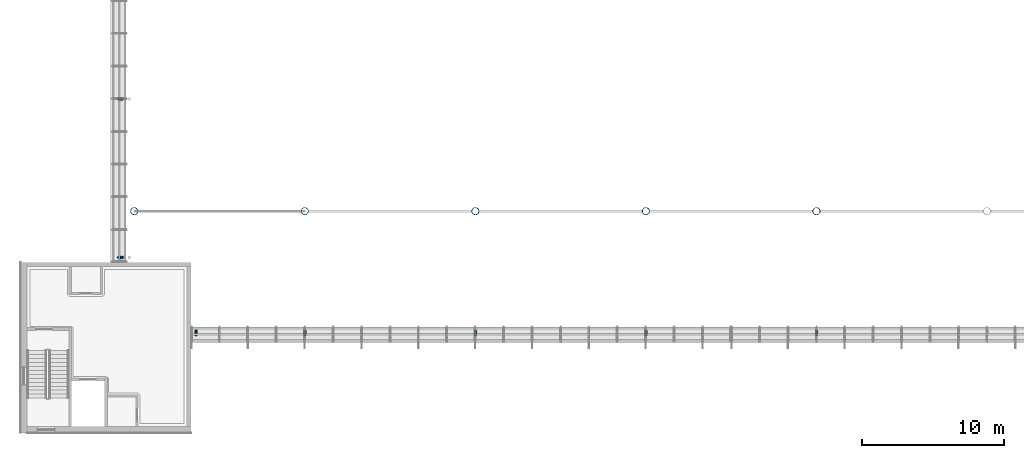
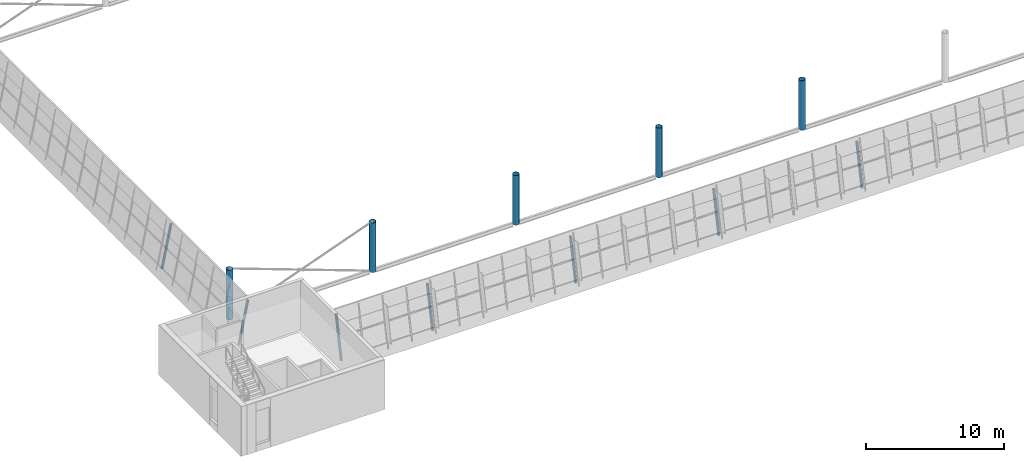
# One storey, part 1 of 50: 12 columns.
"""IFC4 building model written with IfcOpenShell, lengths in metres."""

from ifc_helpers import new_model, si_unit, direction, frame, origin, origin_2d, place, context, subcontext, project, spatial, hollow_circle, extrude, material, material_profile, profile_set, type_object, element, save


model = new_model("IFC4")

# Units and contexts
model_context = context("Model", 3, precision=1e-05, world=origin(), true_north=direction((0.0, 1.0)))
body_context = subcontext(model_context, "Body", "Model", "MODEL_VIEW")
ifc_project = project(units=[si_unit("LENGTHUNIT", "METRE"), si_unit("AREAUNIT", "SQUARE_METRE"), si_unit("VOLUMEUNIT", "CUBIC_METRE"), si_unit("PLANEANGLEUNIT", "RADIAN"), si_unit("MASSUNIT", "GRAM", prefix="KILO")], contexts=[model_context])

# Site, building, storey
site_placement = place(None, origin())
site = spatial("IfcSite", under=ifc_project, at=site_placement, CompositionType="ELEMENT")
building_placement = place(site_placement, origin())
building = spatial("IfcBuilding", under=site, at=building_placement, Name="Windward Yard Aquatics Centre", CompositionType="ELEMENT")
storey_placement = place(building_placement, frame((0.0, 0.0, 18.199951171875)))
storey = spatial("IfcBuildingStorey", under=building, at=storey_placement, Name="L04", CompositionType="ELEMENT", Elevation=18.199951171875)

# Columns
ifc_material = material(Name="Steel ASTM A500 Gr C", Category="steel")
ifc_material_profile_1 = material_profile(ifc_material, hollow_circle(Radius=0.25390625, WallThickness=0.015869140625, at=origin_2d()), Name="HSS508X15.9")
ifc_profile_set_1 = profile_set([ifc_material_profile_1], Name="Steel ASTM A500 Gr C")
column_type_1 = type_object("IfcColumnType", Name="H arch column HSS508X15.9", PredefinedType="COLUMN", material=ifc_profile_set_1)
for number, where, z_axis, x_axis, name in (
    (1, (60.0, 41.60009765625, 0.0), (0.0, 0.0, 1.0), (1.0, 0.0, 0.0), "H.AC.S1.L04"),
    (2, (72.0, 41.60009765625, 0.0), (0.0, 0.0, 1.0), (1.0, 0.0, 0.0), "H.AC.S2.L04"),
    (3, (84.0, 41.60009765625, 0.0), (0.0, 0.0, 1.0), (1.0, 0.0, 0.0), "H.AC.S3.L04"),
    (4, (96.0, 41.60009765625, 0.0), (0.0, 0.0, 1.0), (1.0, 0.0, 0.0), "H.AC.S4.L04"),
    (5, (108.0, 41.60009765625, 0.0), (0.0, 0.0, 1.0), (1.0, 0.0, 0.0), "H.AC.S5.L04"),
):
    element("IfcColumn", number, at=place(storey_placement, frame(where, z_axis=z_axis, x_axis=x_axis)), inside=storey, type_object=column_type_1, Name=name, PredefinedType="COLUMN", context=body_context, shape_type="SweptSolid", body=[
        extrude(hollow_circle(Radius=0.25390625, WallThickness=0.015869140625, at=origin_2d()), origin(), (0.0, 0.0, 1.0), 4.400146484375),
    ])
ifc_material_profile_2 = material_profile(ifc_material, hollow_circle(Radius=0.109619140625, WallThickness=0.0126953125, at=origin_2d()), Name="HSS219.1X12.7")
ifc_profile_set_2 = profile_set([ifc_material_profile_2], Name="Steel ASTM A500 Gr C")
column_type_2 = type_object("IfcColumnType", Name="H tier 2 leg HSS219.1X12.7", PredefinedType="COLUMN", material=ifc_profile_set_2)
for number, where, z_axis, x_axis, name in (
    (6, (64.35009765625, 32.90478515625, 0.0), (0.0, 0.199397546047, 0.979918679601), (-1.0, 0.0, 0.0), "H.TL.S1.T2B.L04"),
    (7, (72.0, 32.90478515625, 0.0), (0.0, 0.199397546047, 0.979918679601), (-1.0, 0.0, 0.0), "H.TL.S2.T2B.L04"),
    (8, (84.0, 32.90478515625, 0.0), (0.0, 0.199397546047, 0.979918679601), (-1.0, 0.0, 0.0), "H.TL.S3.T2B.L04"),
    (9, (96.0, 32.90478515625, 0.0), (0.0, 0.199397546047, 0.979918679601), (-1.0, 0.0, 0.0), "H.TL.S4.T2B.L04"),
    (10, (108.0, 32.90478515625, 0.0), (0.0, 0.199397546047, 0.979918679601), (-1.0, 0.0, 0.0), "H.TL.S5.T2B.L04"),
    (11, (58.90478515625, 38.35009765625, 0.0), (0.199397546047, 0.0, 0.979918679601), (0.0, 1.0, 0.0), "H.TL.W1.T2B.L04"),
    (12, (58.90478515625, 49.5, 0.0), (0.199397546047, 0.0, 0.979918679601), (0.0, 1.0, 0.0), "H.TL.W2.T2B.L04"),
):
    element("IfcColumn", number, at=place(storey_placement, frame(where, z_axis=z_axis, x_axis=x_axis)), inside=storey, type_object=column_type_2, Name=name, PredefinedType="COLUMN", context=body_context, shape_type="SweptSolid", body=[
        extrude(hollow_circle(Radius=0.109619140625, WallThickness=0.0126953125, at=origin_2d()), origin(), (0.0, 0.0, 1.0), 3.776123046875),
    ])

save(model, "model.ifc")
